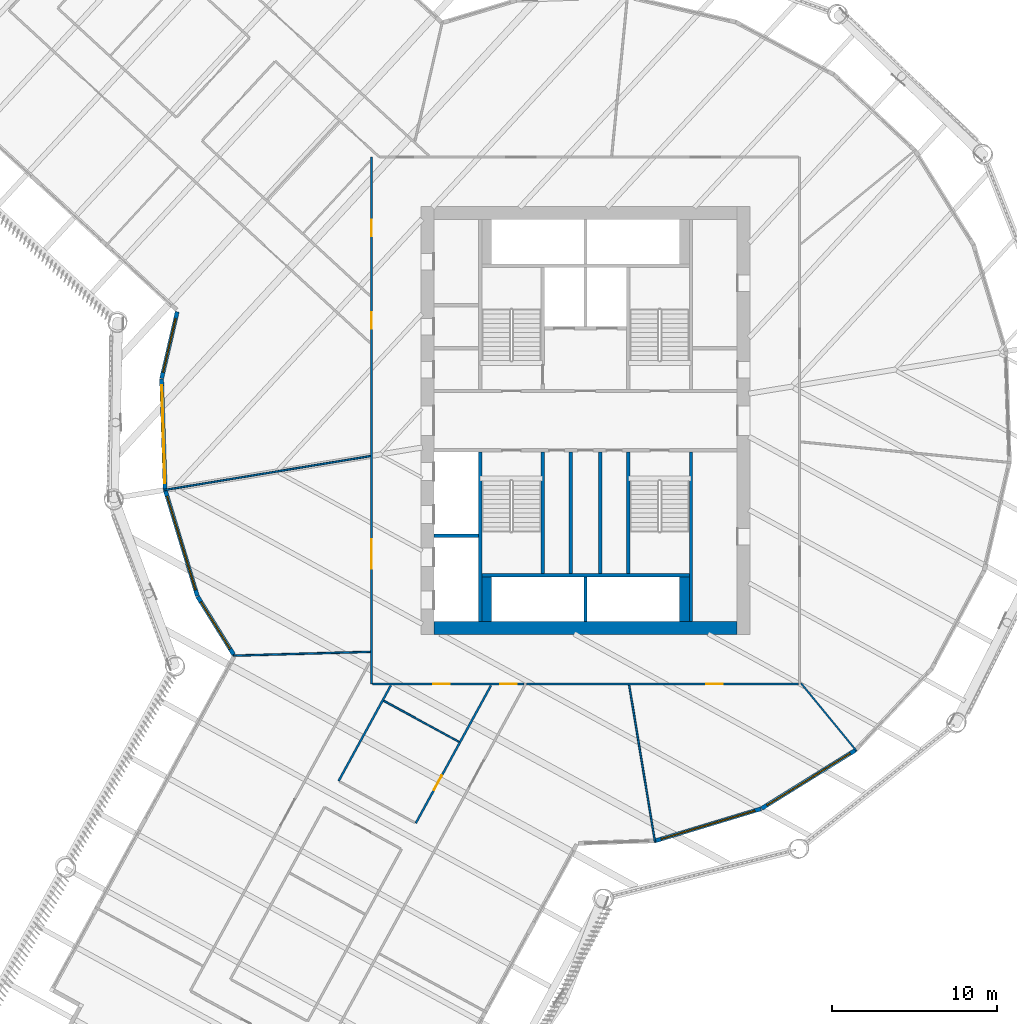
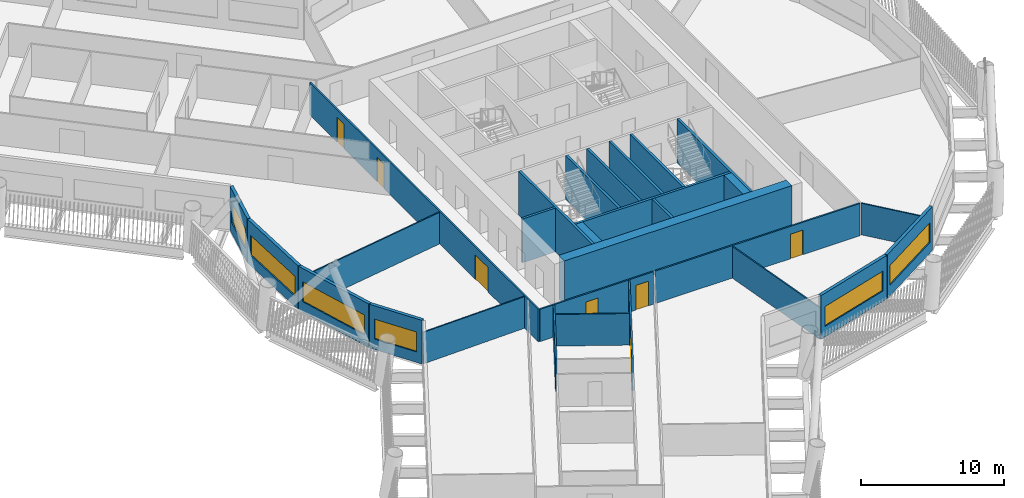
# One storey, part 4 of 24: 28 walls, 7 doors, 6 windows, 13 openings.
"""IFC4 building model written with IfcOpenShell, lengths in metres."""

from ifc_helpers import new_model, si_unit, direction, frame, frame_2d, origin, place, context, subcontext, project, spatial, rectangle, extrude, material, layer, layer_set, type_object, element, fill, save


model = new_model("IFC4")

# Units and contexts
model_context = context("Model", 3, precision=1e-05, world=origin(), true_north=direction((0.0, 1.0)))
body_context = subcontext(model_context, "Body", "Model", "MODEL_VIEW")
ifc_project = project(units=[si_unit("LENGTHUNIT", "METRE"), si_unit("AREAUNIT", "SQUARE_METRE"), si_unit("VOLUMEUNIT", "CUBIC_METRE"), si_unit("PLANEANGLEUNIT", "RADIAN"), si_unit("MASSUNIT", "GRAM", prefix="KILO")], contexts=[model_context])

# Site, building, storey
site_placement = place(None, origin())
site = spatial("IfcSite", under=ifc_project, at=site_placement, CompositionType="ELEMENT")
building_placement = place(site_placement, origin())
building = spatial("IfcBuilding", under=site, at=building_placement, Name="Tarsis Ring Headquarters", CompositionType="ELEMENT")
storey_placement = place(building_placement, frame((0.0, 0.0, 92.800048828125)))
storey = spatial("IfcBuildingStorey", under=building, at=storey_placement, Name="L20", CompositionType="ELEMENT", Elevation=92.800048828125)

# Walls
ifc_material_1 = material(Name="Blockwork", Category="masonry")
ifc_layer_1 = layer(ifc_material_1, 0.199951171875)
ifc_layer_set_1 = layer_set([ifc_layer_1], Name="Core blockwork wall 200")
wall_type_1 = type_object("IfcWallType", Name="Core blockwork wall 200", PredefinedType="PARTITIONING", material=ifc_layer_set_1)
for number, where, z_axis, x_axis, name in (
    (1, (-0.89990234375, -9.300048828125, 0.0), (0.0, 0.0, 1.0), (0.0, 1.0, 0.0), "Core partition SV1"),
    (2, (0.89990234375, -9.300048828125, 0.0), (0.0, 0.0, 1.0), (0.0, 1.0, 0.0), "Core partition SV2"),
):
    element("IfcWall", number, at=place(storey_placement, frame(where, z_axis=z_axis, x_axis=x_axis)), inside=storey, type_object=wall_type_1, Name=name, PredefinedType="PARTITIONING", context=body_context, shape_type="SweptSolid", body=[
        extrude(rectangle(XDim=7.400146484375, YDim=0.199951171875, at=frame_2d((3.7001953125, 0.0))), origin(), (0.0, 0.0, 1.0), 3.739990234375),
    ])
ifc_material_2 = material(Name="Concrete C60/75", Category="concrete")
ifc_layer_2 = layer(ifc_material_2, 0.800048828125)
ifc_layer_set_2 = layer_set([ifc_layer_2], Name="Core wall 800 C60/75")
wall_type_2 = type_object("IfcWallType", Name="Core wall 800 C60/75", PredefinedType="SHEAR", material=ifc_layer_set_2)
wall_1_placement = place(storey_placement, frame((-9.199951171875, -12.60009765625, 0.0), z_axis=(0.0, 0.0, 1.0), x_axis=(1.0, 0.0, 0.0)))
element("IfcWall", 3, at=wall_1_placement, inside=storey, type_object=wall_type_2, Name="Core wall OS", PredefinedType="SHEAR", context=body_context, shape_type="SweptSolid", body=[
    extrude(rectangle(XDim=18.39990234375, YDim=0.800048828125, at=frame_2d((9.199951171875, 0.0))), origin(), (0.0, 0.0, 1.0), 3.739990234375),
])
ifc_material_3 = material(Name="Gypsum board on steel studs", Category="steel")
ifc_layer_3 = layer(ifc_material_3, 0.10009765625)
ifc_layer_set_3 = layer_set([ifc_layer_3], Name="FL partition 100 unrated")
wall_type_3 = type_object("IfcWallType", Name="FL partition 100 unrated", PredefinedType="PARTITIONING", material=ifc_layer_set_3)
wall_2_placement = place(storey_placement, frame((-25.602294921875, -4.22021484375, 0.0), z_axis=(0.0, 0.0, 1.0), x_axis=(0.986685334813, 0.162640862225, 0.0)))
element("IfcWall", 4, at=wall_2_placement, inside=storey, type_object=wall_type_3, Name="Partition PW3", PredefinedType="PARTITIONING", context=body_context, shape_type="SweptSolid", body=[
    extrude(rectangle(XDim=12.702392578125, YDim=0.10009765625, at=frame_2d((6.35107421875, 0.0))), origin(), (0.0, 0.0, 1.0), 2.699951171875),
])
wall_3_placement = place(storey_placement, frame((2.648681640625, -16.069091796875, 0.0), z_axis=(0.0, 0.0, 1.0), x_axis=(0.162653156497, -0.986683308201, 0.0)))
element("IfcWall", 5, at=wall_3_placement, inside=storey, type_object=wall_type_3, Name="Partition PW3", PredefinedType="PARTITIONING", context=body_context, shape_type="SweptSolid", body=[
    extrude(rectangle(XDim=9.661865234375, YDim=0.10009765625, at=frame_2d((4.8310546875, 0.0))), origin(), (0.0, 0.0, 1.0), 2.699951171875),
])
wall_4_placement = place(storey_placement, frame((-21.384033203125, -14.2763671875, 0.0), z_axis=(0.0, 0.0, 1.0), x_axis=(0.999605360572, 0.028091335234, 0.0)))
element("IfcWall", 6, at=wall_4_placement, inside=storey, type_object=wall_type_3, Name="Partition PW3", PredefinedType="PARTITIONING", context=body_context, shape_type="SweptSolid", body=[
    extrude(rectangle(XDim=8.317138671875, YDim=0.10009765625, at=frame_2d((4.15869140625, 0.0))), origin(), (0.0, 0.0, 1.0), 2.699951171875),
])
wall_5_placement = place(storey_placement, frame((-12.256103515625, -17.017578125, 0.0), z_axis=(0.0, 0.0, 1.0), x_axis=(0.877642456908, -0.479315885228, 0.0)))
element("IfcWall", 7, at=wall_5_placement, inside=storey, type_object=wall_type_3, Name="Partition PW3", PredefinedType="PARTITIONING", context=body_context, shape_type="SweptSolid", body=[
    extrude(rectangle(XDim=5.199951171875, YDim=0.10009765625, at=frame_2d((2.60009765625, 0.0))), origin(), (0.0, 0.0, 1.0), 2.699951171875),
])
wall_6_placement = place(storey_placement, frame((13.0888671875, -15.957275390625, 0.0), z_axis=(0.0, 0.0, 1.0), x_axis=(0.63417637019, -0.773188419141, 0.0)))
element("IfcWall", 8, at=wall_6_placement, inside=storey, type_object=wall_type_3, Name="Partition PW3", PredefinedType="PARTITIONING", context=body_context, shape_type="SweptSolid", body=[
    extrude(rectangle(XDim=5.30908203125, YDim=0.10009765625, at=frame_2d((2.654541015625, 0.0))), origin(), (0.0, 0.0, 1.0), 2.699951171875),
])

# Wall, openings, doors
ifc_layer_4 = layer(ifc_material_3, 0.125)
ifc_layer_set_4 = layer_set([ifc_layer_4], Name="FL partition 125 EI 60 H2770")
wall_type_4 = type_object("IfcWallType", Name="FL partition 125 EI 60 H2770", PredefinedType="PARTITIONING", material=ifc_layer_set_4)
wall_7_placement = place(storey_placement, frame((-13.0, -16.0, 0.0), z_axis=(0.0, 0.0, 1.0), x_axis=(0.0, 1.0, 0.0)))
wall_7 = element("IfcWall", 9, at=wall_7_placement, inside=storey, type_object=wall_type_4, Name="Partition PW1", PredefinedType="PARTITIONING", context=body_context, shape_type="SweptSolid", body=[
    extrude(rectangle(XDim=31.9990234375, YDim=0.125, at=frame_2d((15.99951171875, 0.0))), origin(), (0.0, 0.0, 1.0), 2.77001953125),
])
opening_1_placement = place(wall_7_placement, frame((7.006103515625, 0.0, 0.0)))
opening_1 = element("IfcOpeningElement", 10, at=opening_1_placement, cuts=wall_7, Name="Opening D20.11", PredefinedType="OPENING", context=body_context, shape_type="SweptSolid", body=[
    extrude(rectangle(XDim=1.800048828125, YDim=2.10009765625, at=frame_2d((0.89990234375, 1.050048828125))), frame((0.0, 0.072509765625, 0.0), z_axis=(0.0, -1.0, 0.0), x_axis=(1.0, 0.0, 0.0)), (0.0, 0.0, 1.0), 0.14501953125),
])
opening_2_placement = place(wall_7_placement, frame((27.19189453125, 0.0, 0.0)))
opening_2 = element("IfcOpeningElement", 11, at=opening_2_placement, cuts=wall_7, Name="Opening D20.13", PredefinedType="OPENING", context=body_context, shape_type="SweptSolid", body=[
    extrude(rectangle(XDim=1.0, YDim=2.10009765625, at=frame_2d((0.5, 1.050048828125))), frame((0.0, 0.072509765625, 0.0), z_axis=(0.0, -1.0, 0.0), x_axis=(1.0, 0.0, 0.0)), (0.0, 0.0, 1.0), 0.14501953125),
])
opening_3_placement = place(wall_7_placement, frame((21.571044921875, 0.0, 0.0)))
opening_3 = element("IfcOpeningElement", 12, at=opening_3_placement, cuts=wall_7, Name="Opening D20.21", PredefinedType="OPENING", context=body_context, shape_type="SweptSolid", body=[
    extrude(rectangle(XDim=1.0, YDim=2.10009765625, at=frame_2d((0.5, 1.050048828125))), frame((0.0, 0.072509765625, 0.0), z_axis=(0.0, -1.0, 0.0), x_axis=(1.0, 0.0, 0.0)), (0.0, 0.0, 1.0), 0.14501953125),
])
ifc_material_4 = material(Name="Fire-rated timber door leaf in steel frame", Category="steel")
door_type_1 = type_object("IfcDoorType", Name="FL door FD60-1000", OperationType="NOTDEFINED", PredefinedType="DOOR", material=ifc_material_4)
door_1_placement = place(opening_2_placement, origin())
door_1 = element("IfcDoor", 13, at=door_1_placement, inside=storey, type_object=door_type_1, Name="Door D20.13", OperationType="SINGLE_SWING_LEFT", OverallHeight=2.10009765625, OverallWidth=1.0, PredefinedType="DOOR", context=body_context, shape_type="SweptSolid", body=[
    extrude(rectangle(XDim=1.0, YDim=2.10009765625, at=frame_2d((0.5, 1.050048828125))), frame((0.0, 0.02490234375, 0.0), z_axis=(0.0, -1.0, 0.0), x_axis=(1.0, 0.0, 0.0)), (0.0, 0.0, 1.0), 0.050048828125),
])
fill(opening_2, door_1)
door_2_placement = place(opening_3_placement, origin())
door_2 = element("IfcDoor", 14, at=door_2_placement, inside=storey, type_object=door_type_1, Name="Door D20.21", OperationType="SINGLE_SWING_LEFT", OverallHeight=2.10009765625, OverallWidth=1.0, PredefinedType="DOOR", context=body_context, shape_type="SweptSolid", body=[
    extrude(rectangle(XDim=1.0, YDim=2.10009765625, at=frame_2d((0.5, 1.050048828125))), frame((0.0, 0.02490234375, 0.0), z_axis=(0.0, -1.0, 0.0), x_axis=(1.0, 0.0, 0.0)), (0.0, 0.0, 1.0), 0.050048828125),
])
fill(opening_3, door_2)
door_type_2 = type_object("IfcDoorType", Name="FL door FD60-1800", OperationType="DOUBLE_DOOR_SINGLE_SWING", PredefinedType="DOOR", material=ifc_material_4)
door_3_placement = place(opening_1_placement, origin())
door_3 = element("IfcDoor", 15, at=door_3_placement, inside=storey, type_object=door_type_2, Name="Door D20.11", OperationType="DOUBLE_DOOR_SINGLE_SWING", OverallHeight=2.10009765625, OverallWidth=1.800048828125, PredefinedType="DOOR", context=body_context, shape_type="SweptSolid", body=[
    extrude(rectangle(XDim=1.800048828125, YDim=2.10009765625, at=frame_2d((0.89990234375, 1.050048828125))), frame((0.0, 0.02490234375, 0.0), z_axis=(0.0, -1.0, 0.0), x_axis=(1.0, 0.0, 0.0)), (0.0, 0.0, 1.0), 0.050048828125),
])
fill(opening_1, door_3)

wall_8_placement = place(storey_placement, frame((-12.93994140625, -16.0, 0.0), z_axis=(0.0, 0.0, 1.0), x_axis=(1.0, 0.0, 0.0)))
wall_8 = element("IfcWall", 16, at=wall_8_placement, inside=storey, type_object=wall_type_4, Name="Partition PW1", PredefinedType="PARTITIONING", context=body_context, shape_type="SweptSolid", body=[
    extrude(rectangle(XDim=9.189697265625, YDim=0.125, at=frame_2d((4.5947265625, 0.0))), origin(), (0.0, 0.0, 1.0), 2.77001953125),
])
opening_4_placement = place(wall_8_placement, frame((3.701904296875, 0.0, 0.0)))
opening_4 = element("IfcOpeningElement", 17, at=opening_4_placement, cuts=wall_8, Name="Opening D20.16", PredefinedType="OPENING", context=body_context, shape_type="SweptSolid", body=[
    extrude(rectangle(XDim=1.0, YDim=2.10009765625, at=frame_2d((0.5, 1.050048828125))), frame((0.0, 0.072509765625, 0.0), z_axis=(0.0, -1.0, 0.0), x_axis=(1.0, 0.0, 0.0)), (0.0, 0.0, 1.0), 0.14501953125),
])
opening_5_placement = place(wall_8_placement, frame((7.769775390625, 0.0, 0.0)))
opening_5 = element("IfcOpeningElement", 18, at=opening_5_placement, cuts=wall_8, Name="Opening D20.20", PredefinedType="OPENING", context=body_context, shape_type="SweptSolid", body=[
    extrude(rectangle(XDim=1.0, YDim=2.10009765625, at=frame_2d((0.5, 1.050048828125))), frame((0.0, 0.072509765625, 0.0), z_axis=(0.0, -1.0, 0.0), x_axis=(1.0, 0.0, 0.0)), (0.0, 0.0, 1.0), 0.14501953125),
])
door_4_placement = place(opening_4_placement, origin())
door_4 = element("IfcDoor", 19, at=door_4_placement, inside=storey, type_object=door_type_1, Name="Door D20.16", OperationType="SINGLE_SWING_RIGHT", OverallHeight=2.10009765625, OverallWidth=1.0, PredefinedType="DOOR", context=body_context, shape_type="SweptSolid", body=[
    extrude(rectangle(XDim=1.0, YDim=2.10009765625, at=frame_2d((0.5, 1.050048828125))), frame((0.0, 0.02490234375, 0.0), z_axis=(0.0, -1.0, 0.0), x_axis=(1.0, 0.0, 0.0)), (0.0, 0.0, 1.0), 0.050048828125),
])
fill(opening_4, door_4)
door_5_placement = place(opening_5_placement, origin())
door_5 = element("IfcDoor", 20, at=door_5_placement, inside=storey, type_object=door_type_1, Name="Door D20.20", OperationType="SINGLE_SWING_RIGHT", OverallHeight=2.10009765625, OverallWidth=1.0, PredefinedType="DOOR", context=body_context, shape_type="SweptSolid", body=[
    extrude(rectangle(XDim=1.0, YDim=2.10009765625, at=frame_2d((0.5, 1.050048828125))), frame((0.0, 0.02490234375, 0.0), z_axis=(0.0, -1.0, 0.0), x_axis=(1.0, 0.0, 0.0)), (0.0, 0.0, 1.0), 0.050048828125),
])
fill(opening_5, door_5)

# Wall, opening, door
wall_9_placement = place(storey_placement, frame((-3.590087890625, -16.0, 0.0), z_axis=(0.0, 0.0, 1.0), x_axis=(1.0, 0.0, 0.0)))
wall_9 = element("IfcWall", 21, at=wall_9_placement, inside=storey, type_object=wall_type_4, Name="Partition PW1", PredefinedType="PARTITIONING", context=body_context, shape_type="SweptSolid", body=[
    extrude(rectangle(XDim=16.530029296875, YDim=0.125, at=frame_2d((8.26513671875, 0.0))), origin(), (0.0, 0.0, 1.0), 2.77001953125),
])
opening_6_placement = place(wall_9_placement, frame((10.90869140625, 0.0, 0.0)))
opening_6 = element("IfcOpeningElement", 22, at=opening_6_placement, cuts=wall_9, Name="Opening D20.07", PredefinedType="OPENING", context=body_context, shape_type="SweptSolid", body=[
    extrude(rectangle(XDim=1.0, YDim=2.10009765625, at=frame_2d((0.5, 1.050048828125))), frame((0.0, 0.072509765625, 0.0), z_axis=(0.0, -1.0, 0.0), x_axis=(1.0, 0.0, 0.0)), (0.0, 0.0, 1.0), 0.14501953125),
])
door_6_placement = place(opening_6_placement, origin())
door_6 = element("IfcDoor", 23, at=door_6_placement, inside=storey, type_object=door_type_1, Name="Door D20.07", OperationType="SINGLE_SWING_LEFT", OverallHeight=2.10009765625, OverallWidth=1.0, PredefinedType="DOOR", context=body_context, shape_type="SweptSolid", body=[
    extrude(rectangle(XDim=1.0, YDim=2.10009765625, at=frame_2d((0.5, 1.050048828125))), frame((0.0, 0.02490234375, 0.0), z_axis=(0.0, -1.0, 0.0), x_axis=(1.0, 0.0, 0.0)), (0.0, 0.0, 1.0), 0.050048828125),
])
fill(opening_6, door_6)

wall_10_placement = place(storey_placement, frame((-10.310302734375, -24.44970703125, 0.0), z_axis=(0.0, 0.0, 1.0), x_axis=(0.479309882535, 0.877645735194, 0.0)))
wall_10 = element("IfcWall", 24, at=wall_10_placement, inside=storey, type_object=wall_type_4, Name="Partition PW1", PredefinedType="PARTITIONING", context=body_context, shape_type="SweptSolid", body=[
    extrude(rectangle(XDim=9.527587890625, YDim=0.125, at=frame_2d((4.763671875, 0.0))), origin(), (0.0, 0.0, 1.0), 2.77001953125),
])
opening_7_placement = place(wall_10_placement, frame((2.29296875, 0.0, 0.0)))
opening_7 = element("IfcOpeningElement", 25, at=opening_7_placement, cuts=wall_10, Name="Opening D20.17", PredefinedType="OPENING", context=body_context, shape_type="SweptSolid", body=[
    extrude(rectangle(XDim=1.0, YDim=2.10009765625, at=frame_2d((0.5, 1.050048828125))), frame((0.0, 0.072509765625, 0.0), z_axis=(0.0, -1.0, 0.0), x_axis=(1.0, 0.0, 0.0)), (0.0, 0.0, 1.0), 0.14501953125),
])
door_7_placement = place(opening_7_placement, origin())
door_7 = element("IfcDoor", 26, at=door_7_placement, inside=storey, type_object=door_type_1, Name="Door D20.17", OperationType="SINGLE_SWING_LEFT", OverallHeight=2.10009765625, OverallWidth=1.0, PredefinedType="DOOR", context=body_context, shape_type="SweptSolid", body=[
    extrude(rectangle(XDim=1.0, YDim=2.10009765625, at=frame_2d((0.5, 1.050048828125))), frame((0.0, 0.02490234375, 0.0), z_axis=(0.0, -1.0, 0.0), x_axis=(1.0, 0.0, 0.0)), (0.0, 0.0, 1.0), 0.050048828125),
])
fill(opening_7, door_7)

# Wall
wall_11_placement = place(storey_placement, frame((-14.9970703125, -21.89013671875, 0.0), z_axis=(0.0, 0.0, 1.0), x_axis=(0.479328128369, 0.877635770325, 0.0)))
element("IfcWall", 27, at=wall_11_placement, inside=storey, type_object=wall_type_4, Name="Partition PW1", PredefinedType="PARTITIONING", context=body_context, shape_type="SweptSolid", body=[
    extrude(rectangle(XDim=6.611328125, YDim=0.125, at=frame_2d((3.3056640625, 0.0))), origin(), (0.0, 0.0, 1.0), 2.77001953125),
])

# Wall, opening, window
ifc_material_5 = material(Name="Terracotta clad insulated panel wall", Category="masonry")
ifc_layer_5 = layer(ifc_material_5, 0.25)
ifc_layer_set_5 = layer_set([ifc_layer_5], Name="Facade wall terracotta panel 250")
wall_type_5 = type_object("IfcWallType", Name="Facade wall terracotta panel 250", PredefinedType="STANDARD", material=ifc_layer_set_5)
wall_12_placement = place(storey_placement, frame((-24.7998046875, 6.607666015625, 0.0), z_axis=(0.0, 0.0, 1.0), x_axis=(-0.227307579051, -0.973823014981, 0.0)))
wall_12 = element("IfcWall", 28, at=wall_12_placement, inside=storey, type_object=wall_type_5, Name="External wall L20-02", PredefinedType="STANDARD", context=body_context, shape_type="SweptSolid", body=[
    extrude(rectangle(XDim=4.15771484375, YDim=0.25, at=frame_2d((2.078857421875, 0.0))), origin(), (0.0, 0.0, 1.0), 3.739990234375),
])
opening_8_placement = place(wall_12_placement, frame((0.420166015625, 0.0, 0.89990234375)))
opening_8 = element("IfcOpeningElement", 29, at=opening_8_placement, cuts=wall_12, Name="Opening WN01", PredefinedType="OPENING", context=body_context, shape_type="SweptSolid", body=[
    extrude(rectangle(XDim=3.35009765625, YDim=1.699951171875, at=frame_2d((1.675048828125, 0.85009765625))), frame((0.0, 0.135009765625, 0.0), z_axis=(0.0, -1.0, 0.0), x_axis=(1.0, 0.0, 0.0)), (0.0, 0.0, 1.0), 0.27001953125),
])
ifc_material_6 = material(Name="Aluminium framed double glazing", Category="aluminium")
window_type_1 = type_object("IfcWindowType", Name="Facade window 3350 x 1700", PartitioningType="SINGLE_PANEL", PredefinedType="WINDOW", material=ifc_material_6)
window_1_placement = place(opening_8_placement, origin())
window_1 = element("IfcWindow", 30, at=window_1_placement, inside=storey, type_object=window_type_1, Name="Window L20-02.1", OverallHeight=1.699951171875, OverallWidth=3.35009765625, PartitioningType="SINGLE_PANEL", PredefinedType="WINDOW", context=body_context, shape_type="SweptSolid", body=[
    extrude(rectangle(XDim=3.35009765625, YDim=1.699951171875, at=frame_2d((1.675048828125, 0.85009765625))), frame((0.0, 0.030029296875, 0.0), z_axis=(0.0, -1.0, 0.0), x_axis=(1.0, 0.0, 0.0)), (0.0, 0.0, 1.0), 0.06005859375),
])
fill(opening_8, window_1)

wall_13_placement = place(storey_placement, frame((-25.748046875, 2.5263671875, 0.0), z_axis=(0.0, 0.0, 1.0), x_axis=(0.032435589935, -0.999473827824, 0.0)))
wall_13 = element("IfcWall", 31, at=wall_13_placement, inside=storey, type_object=wall_type_5, Name="External wall L20-03", PredefinedType="STANDARD", context=body_context, shape_type="SweptSolid", body=[
    extrude(rectangle(XDim=6.721435546875, YDim=0.25, at=frame_2d((3.36083984375, 0.0))), origin(), (0.0, 0.0, 1.0), 3.739990234375),
])
opening_9_placement = place(wall_13_placement, frame((0.3857421875, 0.0, 0.89990234375)))
opening_9 = element("IfcOpeningElement", 32, at=opening_9_placement, cuts=wall_13, Name="Opening WN07", PredefinedType="OPENING", context=body_context, shape_type="SweptSolid", body=[
    extrude(rectangle(XDim=5.949951171875, YDim=1.699951171875, at=frame_2d((2.97509765625, 0.85009765625))), frame((0.0, 0.135009765625, 0.0), z_axis=(0.0, -1.0, 0.0), x_axis=(1.0, 0.0, 0.0)), (0.0, 0.0, 1.0), 0.27001953125),
])
window_type_2 = type_object("IfcWindowType", Name="Facade window 5950 x 1700", PartitioningType="SINGLE_PANEL", PredefinedType="WINDOW", material=ifc_material_6)
window_2_placement = place(opening_9_placement, origin())
window_2 = element("IfcWindow", 33, at=window_2_placement, inside=storey, type_object=window_type_2, Name="Window L20-03.1", OverallHeight=1.699951171875, OverallWidth=5.949951171875, PartitioningType="SINGLE_PANEL", PredefinedType="WINDOW", context=body_context, shape_type="SweptSolid", body=[
    extrude(rectangle(XDim=5.949951171875, YDim=1.699951171875, at=frame_2d((2.97509765625, 0.85009765625))), frame((0.0, 0.030029296875, 0.0), z_axis=(0.0, -1.0, 0.0), x_axis=(1.0, 0.0, 0.0)), (0.0, 0.0, 1.0), 0.06005859375),
])
fill(opening_9, window_2)

wall_14_placement = place(storey_placement, frame((-25.524658203125, -4.223876953125, 0.0), z_axis=(0.0, 0.0, 1.0), x_axis=(0.290032597703, -0.957016766974, 0.0)))
wall_14 = element("IfcWall", 34, at=wall_14_placement, inside=storey, type_object=wall_type_5, Name="External wall L20-04", PredefinedType="STANDARD", context=body_context, shape_type="SweptSolid", body=[
    extrude(rectangle(XDim=6.721435546875, YDim=0.25, at=frame_2d((3.36083984375, 0.0))), origin(), (0.0, 0.0, 1.0), 3.739990234375),
])
opening_10_placement = place(wall_14_placement, frame((0.3857421875, 0.0, 0.89990234375)))
opening_10 = element("IfcOpeningElement", 35, at=opening_10_placement, cuts=wall_14, Name="Opening WN07", PredefinedType="OPENING", context=body_context, shape_type="SweptSolid", body=[
    extrude(rectangle(XDim=5.949951171875, YDim=1.699951171875, at=frame_2d((2.97509765625, 0.85009765625))), frame((0.0, 0.135009765625, 0.0), z_axis=(0.0, -1.0, 0.0), x_axis=(1.0, 0.0, 0.0)), (0.0, 0.0, 1.0), 0.27001953125),
])
window_3_placement = place(opening_10_placement, origin())
window_3 = element("IfcWindow", 36, at=window_3_placement, inside=storey, type_object=window_type_2, Name="Window L20-04.1", OverallHeight=1.699951171875, OverallWidth=5.949951171875, PartitioningType="SINGLE_PANEL", PredefinedType="WINDOW", context=body_context, shape_type="SweptSolid", body=[
    extrude(rectangle(XDim=5.949951171875, YDim=1.699951171875, at=frame_2d((2.97509765625, 0.85009765625))), frame((0.0, 0.030029296875, 0.0), z_axis=(0.0, -1.0, 0.0), x_axis=(1.0, 0.0, 0.0)), (0.0, 0.0, 1.0), 0.06005859375),
])
fill(opening_10, window_3)

wall_15_placement = place(storey_placement, frame((-23.561767578125, -10.68603515625, 0.0), z_axis=(0.0, 0.0, 1.0), x_axis=(0.527843685212, -0.849341535533, 0.0)))
wall_15 = element("IfcWall", 37, at=wall_15_placement, inside=storey, type_object=wall_type_5, Name="External wall L20-05", PredefinedType="STANDARD", context=body_context, shape_type="SweptSolid", body=[
    extrude(rectangle(XDim=4.15771484375, YDim=0.25, at=frame_2d((2.078857421875, 0.0))), origin(), (0.0, 0.0, 1.0), 3.739990234375),
])
opening_11_placement = place(wall_15_placement, frame((0.38720703125, 0.0, 0.89990234375)))
opening_11 = element("IfcOpeningElement", 38, at=opening_11_placement, cuts=wall_15, Name="Opening WN01", PredefinedType="OPENING", context=body_context, shape_type="SweptSolid", body=[
    extrude(rectangle(XDim=3.35009765625, YDim=1.699951171875, at=frame_2d((1.675048828125, 0.85009765625))), frame((0.0, 0.135009765625, 0.0), z_axis=(0.0, -1.0, 0.0), x_axis=(1.0, 0.0, 0.0)), (0.0, 0.0, 1.0), 0.27001953125),
])
window_4_placement = place(opening_11_placement, origin())
window_4 = element("IfcWindow", 39, at=window_4_placement, inside=storey, type_object=window_type_1, Name="Window L20-05.1", OverallHeight=1.699951171875, OverallWidth=3.35009765625, PartitioningType="SINGLE_PANEL", PredefinedType="WINDOW", context=body_context, shape_type="SweptSolid", body=[
    extrude(rectangle(XDim=3.35009765625, YDim=1.699951171875, at=frame_2d((1.675048828125, 0.85009765625))), frame((0.0, 0.030029296875, 0.0), z_axis=(0.0, -1.0, 0.0), x_axis=(1.0, 0.0, 0.0)), (0.0, 0.0, 1.0), 0.06005859375),
])
fill(opening_11, window_4)

wall_16_placement = place(storey_placement, frame((4.223876953125, -25.524658203125, 0.0), z_axis=(0.0, 0.0, 1.0), x_axis=(0.957016766974, 0.290032597703, 0.0)))
wall_16 = element("IfcWall", 40, at=wall_16_placement, inside=storey, type_object=wall_type_5, Name="External wall L20-18", PredefinedType="STANDARD", context=body_context, shape_type="SweptSolid", body=[
    extrude(rectangle(XDim=6.721435546875, YDim=0.25, at=frame_2d((3.36083984375, 0.0))), origin(), (0.0, 0.0, 1.0), 3.739990234375),
])
opening_12_placement = place(wall_16_placement, frame((0.3857421875, 0.0, 0.89990234375)))
opening_12 = element("IfcOpeningElement", 41, at=opening_12_placement, cuts=wall_16, Name="Opening WN07", PredefinedType="OPENING", context=body_context, shape_type="SweptSolid", body=[
    extrude(rectangle(XDim=5.949951171875, YDim=1.699951171875, at=frame_2d((2.97509765625, 0.85009765625))), frame((0.0, 0.135009765625, 0.0), z_axis=(0.0, -1.0, 0.0), x_axis=(1.0, 0.0, 0.0)), (0.0, 0.0, 1.0), 0.27001953125),
])
window_5_placement = place(opening_12_placement, origin())
window_5 = element("IfcWindow", 42, at=window_5_placement, inside=storey, type_object=window_type_2, Name="Window L20-18.1", OverallHeight=1.699951171875, OverallWidth=5.949951171875, PartitioningType="SINGLE_PANEL", PredefinedType="WINDOW", context=body_context, shape_type="SweptSolid", body=[
    extrude(rectangle(XDim=5.949951171875, YDim=1.699951171875, at=frame_2d((2.97509765625, 0.85009765625))), frame((0.0, 0.030029296875, 0.0), z_axis=(0.0, -1.0, 0.0), x_axis=(1.0, 0.0, 0.0)), (0.0, 0.0, 1.0), 0.06005859375),
])
fill(opening_12, window_5)

wall_17_placement = place(storey_placement, frame((10.68603515625, -23.561767578125, 0.0), z_axis=(0.0, 0.0, 1.0), x_axis=(0.849350460881, 0.527829323363, 0.0)))
wall_17 = element("IfcWall", 43, at=wall_17_placement, inside=storey, type_object=wall_type_5, Name="External wall L20-19", PredefinedType="STANDARD", context=body_context, shape_type="SweptSolid", body=[
    extrude(rectangle(XDim=6.7216796875, YDim=0.25, at=frame_2d((3.36083984375, 0.0))), origin(), (0.0, 0.0, 1.0), 3.739990234375),
])
opening_13_placement = place(wall_17_placement, frame((0.3857421875, 0.0, 0.89990234375)))
opening_13 = element("IfcOpeningElement", 44, at=opening_13_placement, cuts=wall_17, Name="Opening WN07", PredefinedType="OPENING", context=body_context, shape_type="SweptSolid", body=[
    extrude(rectangle(XDim=5.949951171875, YDim=1.699951171875, at=frame_2d((2.97509765625, 0.85009765625))), frame((0.0, 0.135009765625, 0.0), z_axis=(0.0, -1.0, 0.0), x_axis=(1.0, 0.0, 0.0)), (0.0, 0.0, 1.0), 0.27001953125),
])
window_6_placement = place(opening_13_placement, origin())
window_6 = element("IfcWindow", 45, at=window_6_placement, inside=storey, type_object=window_type_2, Name="Window L20-19.1", OverallHeight=1.699951171875, OverallWidth=5.949951171875, PartitioningType="SINGLE_PANEL", PredefinedType="WINDOW", context=body_context, shape_type="SweptSolid", body=[
    extrude(rectangle(XDim=5.949951171875, YDim=1.699951171875, at=frame_2d((2.97509765625, 0.85009765625))), frame((0.0, 0.030029296875, 0.0), z_axis=(0.0, -1.0, 0.0), x_axis=(1.0, 0.0, 0.0)), (0.0, 0.0, 1.0), 0.06005859375),
])
fill(opening_13, window_6)

# Walls
ifc_material_7 = material(Name="Concrete C32/40", Category="concrete")
ifc_layer_6 = layer(ifc_material_7, 0.60009765625)
ifc_layer_set_6 = layer_set([ifc_layer_6], Name="Shaft end wall 600 C32/40")
wall_type_6 = type_object("IfcWallType", Name="Shaft end wall 600 C32/40", PredefinedType="SOLIDWALL", material=ifc_layer_set_6)
for number, where, z_axis, x_axis, name in (
    (46, (-6.0, -12.199951171875, 0.0), (0.0, 0.0, 1.0), (0.0, 1.0, 0.0), "Core shaft wall SNE1"),
    (47, (6.0, -12.199951171875, 0.0), (0.0, 0.0, 1.0), (0.0, 1.0, 0.0), "Core shaft wall SNE2"),
):
    element("IfcWall", number, at=place(storey_placement, frame(where, z_axis=z_axis, x_axis=x_axis)), inside=storey, type_object=wall_type_6, Name=name, PredefinedType="SOLIDWALL", context=body_context, shape_type="SweptSolid", body=[
        extrude(rectangle(XDim=2.699951171875, YDim=0.60009765625, at=frame_2d((1.35009765625, 0.0))), origin(), (0.0, 0.0, 1.0), 3.739990234375),
    ])
ifc_layer_7 = layer(ifc_material_7, 0.199951171875)
ifc_layer_set_7 = layer_set([ifc_layer_7], Name="Shaft wall 200 C32/40")
wall_type_7 = type_object("IfcWallType", Name="Shaft wall 200 C32/40", PredefinedType="SOLIDWALL", material=ifc_layer_set_7)
for number, where, z_axis, x_axis, name in (
    (48, (-6.39990234375, -12.199951171875, 0.0), (0.0, 0.0, 1.0), (0.0, 1.0, 0.0), "Core shaft wall WB1"),
    (49, (6.39990234375, -12.199951171875, 0.0), (0.0, 0.0, 1.0), (0.0, 1.0, 0.0), "Core shaft wall EB1"),
):
    element("IfcWall", number, at=place(storey_placement, frame(where, z_axis=z_axis, x_axis=x_axis)), inside=storey, type_object=wall_type_7, Name=name, PredefinedType="SOLIDWALL", context=body_context, shape_type="SweptSolid", body=[
        extrude(rectangle(XDim=10.300048828125, YDim=0.199951171875, at=frame_2d((5.14990234375, 0.0))), origin(), (0.0, 0.0, 1.0), 3.739990234375),
    ])
wall_18_placement = place(storey_placement, frame((-6.300048828125, -9.39990234375, 0.0), z_axis=(0.0, 0.0, 1.0), x_axis=(1.0, 0.0, 0.0)))
element("IfcWall", 50, at=wall_18_placement, inside=storey, type_object=wall_type_7, Name="Core shaft wall SB", PredefinedType="SOLIDWALL", context=body_context, shape_type="SweptSolid", body=[
    extrude(rectangle(XDim=12.60009765625, YDim=0.199951171875, at=frame_2d((6.300048828125, 0.0))), origin(), (0.0, 0.0, 1.0), 3.739990234375),
])
for number, where, z_axis, x_axis, name in (
    (51, (-2.60009765625, -9.300048828125, 0.0), (0.0, 0.0, 1.0), (0.0, 1.0, 0.0), "Core shaft wall SW3"),
    (52, (2.60009765625, -9.300048828125, 0.0), (0.0, 0.0, 1.0), (0.0, 1.0, 0.0), "Core shaft wall SW4"),
):
    element("IfcWall", number, at=place(storey_placement, frame(where, z_axis=z_axis, x_axis=x_axis)), inside=storey, type_object=wall_type_7, Name=name, PredefinedType="SOLIDWALL", context=body_context, shape_type="SweptSolid", body=[
        extrude(rectangle(XDim=7.400146484375, YDim=0.199951171875, at=frame_2d((3.7001953125, 0.0))), origin(), (0.0, 0.0, 1.0), 3.739990234375),
    ])
for number, where, z_axis, x_axis, name in (
    (53, (-9.199951171875, -7.0, 0.0), (0.0, 0.0, 1.0), (1.0, 0.0, 0.0), "Core shaft wall WD2"),
    (54, (0.0, -12.199951171875, 0.0), (0.0, 0.0, 1.0), (0.0, 1.0, 0.0), "Core shaft wall SD2"),
):
    element("IfcWall", number, at=place(storey_placement, frame(where, z_axis=z_axis, x_axis=x_axis)), inside=storey, type_object=wall_type_7, Name=name, PredefinedType="SOLIDWALL", context=body_context, shape_type="SweptSolid", body=[
        extrude(rectangle(XDim=2.699951171875, YDim=0.199951171875, at=frame_2d((1.35009765625, 0.0))), origin(), (0.0, 0.0, 1.0), 3.739990234375),
    ])

save(model, "model.ifc")
